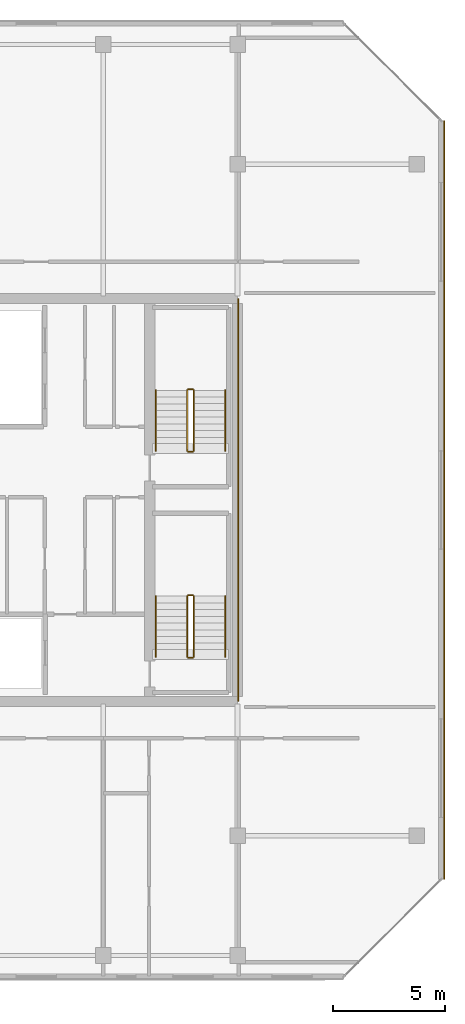
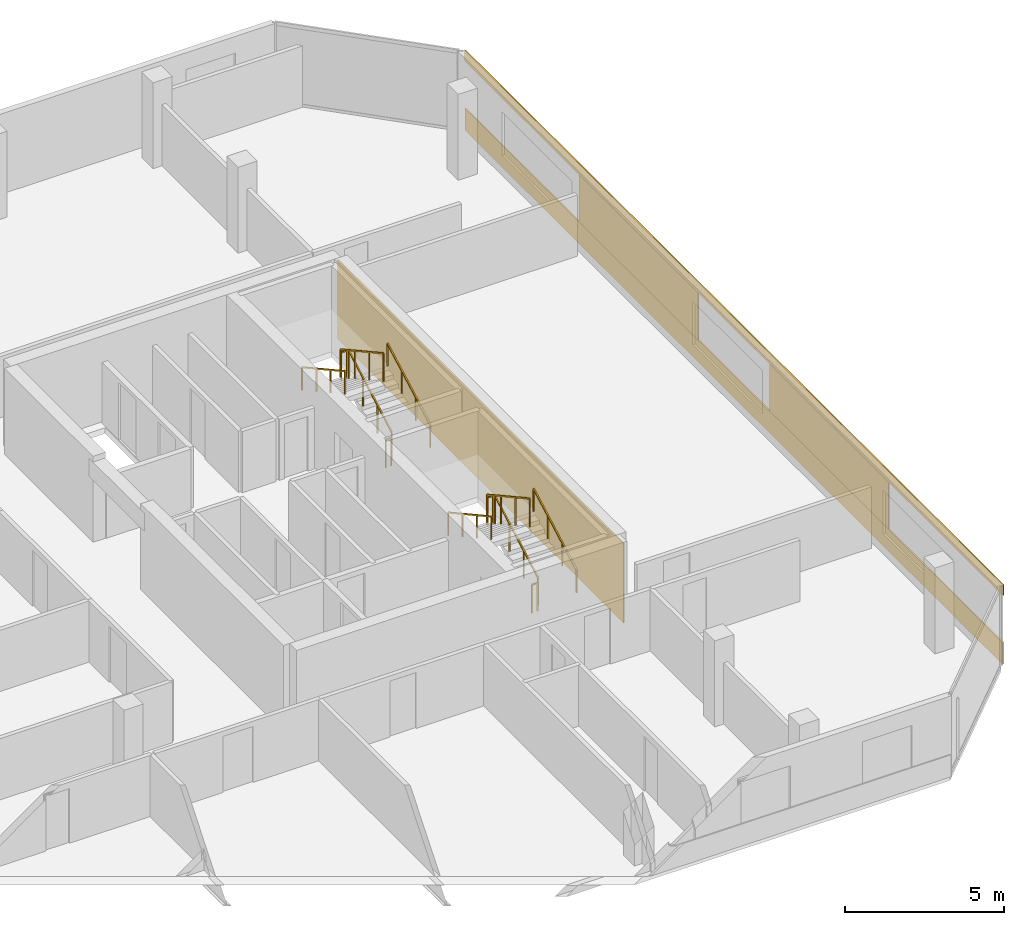
# One storey, part 29 of 29: 12 railings, 5 coverings.
"""IFC4 building model written with IfcOpenShell, lengths in metres."""

from ifc_helpers import new_model, si_unit, direction, frame, origin, origin_2d, place, context, subcontext, project, spatial, rectangle, extrude, material, layer, layer_set, type_object, element, save


model = new_model("IFC4")

# Units and contexts
model_context = context("Model", 3, precision=1e-05, world=origin(), true_north=direction((0.0, 1.0)))
body_context = subcontext(model_context, "Body", "Model", "MODEL_VIEW")
ifc_project = project(units=[si_unit("LENGTHUNIT", "METRE"), si_unit("AREAUNIT", "SQUARE_METRE"), si_unit("VOLUMEUNIT", "CUBIC_METRE"), si_unit("PLANEANGLEUNIT", "RADIAN"), si_unit("MASSUNIT", "GRAM", prefix="KILO")], contexts=[model_context])

# Site, building, storey
site_placement = place(None, origin())
site = spatial("IfcSite", under=ifc_project, at=site_placement, CompositionType="ELEMENT")
building_placement = place(site_placement, origin())
building = spatial("IfcBuilding", under=site, at=building_placement, Name="Tanjung Sevakor Pilgrim Tower", CompositionType="ELEMENT")
storey_placement = place(building_placement, frame((0.0, 0.0, 235.949951171875)))
storey = spatial("IfcBuildingStorey", under=building, at=storey_placement, Name="L66", CompositionType="ELEMENT", Elevation=235.949951171875)

# Coverings
ifc_material_1 = material(Name="Reconstructed Limestone Cladding", Category="masonry")
ifc_layer = layer(ifc_material_1, 0.044921875)
ifc_layer_set = layer_set([ifc_layer], Name="COV-CLAD-LIMESTONE")
covering_type = type_object("IfcCoveringType", Name="COV-CLAD-LIMESTONE", PredefinedType="CLADDING", material=ifc_layer_set)
covering_1_placement = place(storey_placement, frame((99.222412109375, 33.60009765625, 0.009765625), z_axis=(0.0, 0.0, 1.0), x_axis=(0.0, 1.0, 0.0)))
element("IfcCovering", 1, at=covering_1_placement, inside=storey, type_object=covering_type, Name="L66 Warm Limestone Sill Spandrel EW-L66-EAST-3-1", PredefinedType="CLADDING", context=body_context, shape_type="SweptSolid", body=[
    extrude(rectangle(XDim=33.828857421875, YDim=0.044921875, at=origin_2d()), origin(), (0.0, 0.0, 1.0), 0.840087890625),
])
covering_2_placement = place(storey_placement, frame((99.222412109375, 33.60009765625, 2.66015625), z_axis=(0.0, 0.0, 1.0), x_axis=(0.0, 1.0, 0.0)))
element("IfcCovering", 2, at=covering_2_placement, inside=storey, type_object=covering_type, Name="L66 Warm Limestone Cornice Spandrel EW-L66-EAST-3", PredefinedType="CLADDING", context=body_context, shape_type="SweptSolid", body=[
    extrude(rectangle(XDim=33.868896484375, YDim=0.044921875, at=origin_2d()), origin(), (0.0, 0.0, 1.0), 0.409912109375),
])
for number, where, z_axis, x_axis, name in (
    (3, (99.222412109375, 27.60888671875, 0.85009765625), (0.0, 0.0, 1.0), (0.0, 1.0, 0.0), "L66 Warm Limestone Pier Panel EW-L66-EAST-3-1"),
    (4, (99.222412109375, 39.591064453125, 0.85009765625), (0.0, 0.0, 1.0), (0.0, 1.0, 0.0), "L66 Warm Limestone Pier Panel EW-L66-EAST-3-2"),
):
    element("IfcCovering", number, at=place(storey_placement, frame(where, z_axis=z_axis, x_axis=x_axis)), inside=storey, type_object=covering_type, Name=name, PredefinedType="CLADDING", context=body_context, shape_type="SweptSolid", body=[
        extrude(rectangle(XDim=7.482177734375, YDim=0.044921875, at=origin_2d()), origin(), (0.0, 0.0, 1.0), 1.81005859375),
    ])
covering_3_placement = place(storey_placement, frame((90.0224609375, 33.60009765625, 0.02001953125), z_axis=(0.0, 0.0, 1.0), x_axis=(1.0, 0.0, 0.0)))
element("IfcCovering", 5, at=covering_3_placement, inside=storey, type_object=covering_type, Name="L66 Expressed Core Warm Limestone Cladding E", PredefinedType="CLADDING", context=body_context, shape_type="SweptSolid", body=[
    extrude(rectangle(XDim=0.044921875, YDim=18.0, at=origin_2d()), origin(), (0.0, 0.0, 1.0), 3.0400390625),
])

# Railings
ifc_material_2 = material(Name="Steel S355J2", Category="steel")
railing_type_1 = type_object("IfcRailingType", Name="RL-STAIR-GUARD", PredefinedType="GUARDRAIL", material=ifc_material_2)
railing_1_placement = place(storey_placement, frame((88.050048828125, 26.60009765625, 0.1650390625)))
element("IfcRailing", 6, at=railing_1_placement, inside=storey, type_object=railing_type_1, Name="L66 TS-E1 stair guard 1", PredefinedType="GUARDRAIL", context=body_context, shape_type="SweptSolid", body=[
    extrude(rectangle(XDim=0.0479, YDim=0.0479), frame((0.0, 0.0, 1.076171875), z_axis=(0.0, 0.876197507361, 0.481952205197), x_axis=(-1.0, 0.0, 0.0)), (0.0, 0.0, 1.0), 3.08154296875),
    extrude(rectangle(XDim=0.042, YDim=0.042), origin(), (0.0, 0.0, 1.0), 1.052001953125),
    extrude(rectangle(XDim=0.042, YDim=0.042), frame((0.0, 0.89990234375, 0.4951171875)), (0.0, 0.0, 1.0), 1.052001953125),
    extrude(rectangle(XDim=0.042, YDim=0.042), frame((0.0, 1.800048828125, 0.989990234375)), (0.0, 0.0, 1.0), 1.052001953125),
    extrude(rectangle(XDim=0.042, YDim=0.042), frame((0.0, 2.699951171875, 1.485107421875)), (0.0, 0.0, 1.0), 1.052001953125),
])
railing_2_placement = place(storey_placement, frame((88.0, 29.35009765625, 1.650146484375)))
element("IfcRailing", 7, at=railing_2_placement, inside=storey, type_object=railing_type_1, Name="L66 TS-E1 stair guard 2", PredefinedType="GUARDRAIL", context=body_context, shape_type="SweptSolid", body=[
    extrude(rectangle(XDim=0.0479, YDim=0.0479), frame((0.0, 0.0, 1.076171875), z_axis=(-1.0, 0.0, 0.0), x_axis=(0.0, -1.0, 0.0)), (0.0, 0.0, 1.0), 0.199951171875),
    extrude(rectangle(XDim=0.042, YDim=0.042), origin(), (0.0, 0.0, 1.0), 1.052001953125),
    extrude(rectangle(XDim=0.042, YDim=0.042), frame((-0.199951171875, 0.0, 0.0)), (0.0, 0.0, 1.0), 1.052001953125),
])
railing_3_placement = place(storey_placement, frame((87.75, 29.300048828125, 1.81494140625)))
element("IfcRailing", 8, at=railing_3_placement, inside=storey, type_object=railing_type_1, Name="L66 TS-E1 stair guard 3", PredefinedType="GUARDRAIL", context=body_context, shape_type="SweptSolid", body=[
    extrude(rectangle(XDim=0.0479, YDim=0.0479), frame((0.0, 0.0, 1.076171875), z_axis=(0.0, -0.876197507361, 0.481952205197), x_axis=(1.0, 0.0, 0.0)), (0.0, 0.0, 1.0), 3.08154296875),
    extrude(rectangle(XDim=0.042, YDim=0.042), origin(), (0.0, 0.0, 1.0), 1.052001953125),
    extrude(rectangle(XDim=0.042, YDim=0.042), frame((0.0, -0.89990234375, 0.4951171875)), (0.0, 0.0, 1.0), 1.052001953125),
    extrude(rectangle(XDim=0.042, YDim=0.042), frame((0.0, -1.800048828125, 0.989990234375)), (0.0, 0.0, 1.0), 1.052001953125),
    extrude(rectangle(XDim=0.042, YDim=0.042), frame((0.0, -2.699951171875, 1.485107421875)), (0.0, 0.0, 1.0), 1.052001953125),
])
railing_4_placement = place(storey_placement, frame((88.0, 26.550048828125, 0.0)))
element("IfcRailing", 9, at=railing_4_placement, inside=storey, type_object=railing_type_1, Name="L66 TS-E1 stair guard 4", PredefinedType="GUARDRAIL", context=body_context, shape_type="SweptSolid", body=[
    extrude(rectangle(XDim=0.0479, YDim=0.0479), frame((0.0, 0.0, 1.076171875), z_axis=(-1.0, 0.0, 0.0), x_axis=(0.0, -1.0, 0.0)), (0.0, 0.0, 1.0), 0.199951171875),
    extrude(rectangle(XDim=0.042, YDim=0.042), origin(), (0.0, 0.0, 1.0), 1.052001953125),
    extrude(rectangle(XDim=0.042, YDim=0.042), frame((-0.199951171875, 0.0, 0.0)), (0.0, 0.0, 1.0), 1.052001953125),
])
railing_5_placement = place(storey_placement, frame((88.050048828125, 35.800048828125, 0.1650390625)))
element("IfcRailing", 10, at=railing_5_placement, inside=storey, type_object=railing_type_1, Name="L66 TS-E2 stair guard 1", PredefinedType="GUARDRAIL", context=body_context, shape_type="SweptSolid", body=[
    extrude(rectangle(XDim=0.0479, YDim=0.0479), frame((0.0, 0.0, 1.076171875), z_axis=(0.0, 0.876197507361, 0.481952205197), x_axis=(-1.0, 0.0, 0.0)), (0.0, 0.0, 1.0), 3.08154296875),
    extrude(rectangle(XDim=0.042, YDim=0.042), origin(), (0.0, 0.0, 1.0), 1.052001953125),
    extrude(rectangle(XDim=0.042, YDim=0.042), frame((0.0, 0.89990234375, 0.4951171875)), (0.0, 0.0, 1.0), 1.052001953125),
    extrude(rectangle(XDim=0.042, YDim=0.042), frame((0.0, 1.800048828125, 0.989990234375)), (0.0, 0.0, 1.0), 1.052001953125),
    extrude(rectangle(XDim=0.042, YDim=0.042), frame((0.0, 2.699951171875, 1.485107421875)), (0.0, 0.0, 1.0), 1.052001953125),
])
railing_6_placement = place(storey_placement, frame((88.0, 38.550048828125, 1.650146484375)))
element("IfcRailing", 11, at=railing_6_placement, inside=storey, type_object=railing_type_1, Name="L66 TS-E2 stair guard 2", PredefinedType="GUARDRAIL", context=body_context, shape_type="SweptSolid", body=[
    extrude(rectangle(XDim=0.0479, YDim=0.0479), frame((0.0, 0.0, 1.076171875), z_axis=(-1.0, 0.0, 0.0), x_axis=(0.0, -1.0, 0.0)), (0.0, 0.0, 1.0), 0.199951171875),
    extrude(rectangle(XDim=0.042, YDim=0.042), origin(), (0.0, 0.0, 1.0), 1.052001953125),
    extrude(rectangle(XDim=0.042, YDim=0.042), frame((-0.199951171875, 0.0, 0.0)), (0.0, 0.0, 1.0), 1.052001953125),
])
railing_7_placement = place(storey_placement, frame((87.75, 38.5, 1.81494140625)))
element("IfcRailing", 12, at=railing_7_placement, inside=storey, type_object=railing_type_1, Name="L66 TS-E2 stair guard 3", PredefinedType="GUARDRAIL", context=body_context, shape_type="SweptSolid", body=[
    extrude(rectangle(XDim=0.0479, YDim=0.0479), frame((0.0, 0.0, 1.076171875), z_axis=(0.0, -0.876197507361, 0.481952205197), x_axis=(1.0, 0.0, 0.0)), (0.0, 0.0, 1.0), 3.08154296875),
    extrude(rectangle(XDim=0.042, YDim=0.042), origin(), (0.0, 0.0, 1.0), 1.052001953125),
    extrude(rectangle(XDim=0.042, YDim=0.042), frame((0.0, -0.89990234375, 0.4951171875)), (0.0, 0.0, 1.0), 1.052001953125),
    extrude(rectangle(XDim=0.042, YDim=0.042), frame((0.0, -1.800048828125, 0.989990234375)), (0.0, 0.0, 1.0), 1.052001953125),
    extrude(rectangle(XDim=0.042, YDim=0.042), frame((0.0, -2.699951171875, 1.485107421875)), (0.0, 0.0, 1.0), 1.052001953125),
])
railing_8_placement = place(storey_placement, frame((88.0, 35.75, 0.0)))
element("IfcRailing", 13, at=railing_8_placement, inside=storey, type_object=railing_type_1, Name="L66 TS-E2 stair guard 4", PredefinedType="GUARDRAIL", context=body_context, shape_type="SweptSolid", body=[
    extrude(rectangle(XDim=0.0479, YDim=0.0479), frame((0.0, 0.0, 1.076171875), z_axis=(-1.0, 0.0, 0.0), x_axis=(0.0, -1.0, 0.0)), (0.0, 0.0, 1.0), 0.199951171875),
    extrude(rectangle(XDim=0.042, YDim=0.042), origin(), (0.0, 0.0, 1.0), 1.052001953125),
    extrude(rectangle(XDim=0.042, YDim=0.042), frame((-0.199951171875, 0.0, 0.0)), (0.0, 0.0, 1.0), 1.052001953125),
])
ifc_material_3 = material(Name="Steel S355J2", Category="steel")
railing_type_2 = type_object("IfcRailingType", Name="RL-STAIR-HAND", PredefinedType="HANDRAIL", material=ifc_material_3)
railing_9_placement = place(storey_placement, frame((89.449951171875, 26.60009765625, 0.1650390625)))
element("IfcRailing", 14, at=railing_9_placement, inside=storey, type_object=railing_type_2, Name="L66 TS-E1 stair handrail 1", PredefinedType="HANDRAIL", context=body_context, shape_type="SweptSolid", body=[
    extrude(rectangle(XDim=0.0479, YDim=0.0479), frame((0.0, 0.0, 0.8759765625), z_axis=(0.0, 0.876197507361, 0.481952205197), x_axis=(-1.0, 0.0, 0.0)), (0.0, 0.0, 1.0), 3.08154296875),
    extrude(rectangle(XDim=0.042, YDim=0.042), origin(), (0.0, 0.0, 1.0), 0.851806640625),
    extrude(rectangle(XDim=0.042, YDim=0.042), frame((0.0, 0.89990234375, 0.4951171875)), (0.0, 0.0, 1.0), 0.851806640625),
    extrude(rectangle(XDim=0.042, YDim=0.042), frame((0.0, 1.800048828125, 0.989990234375)), (0.0, 0.0, 1.0), 0.851806640625),
    extrude(rectangle(XDim=0.042, YDim=0.042), frame((0.0, 2.699951171875, 1.485107421875)), (0.0, 0.0, 1.0), 0.851806640625),
])
railing_10_placement = place(storey_placement, frame((86.35009765625, 29.300048828125, 1.81494140625)))
element("IfcRailing", 15, at=railing_10_placement, inside=storey, type_object=railing_type_2, Name="L66 TS-E1 stair handrail 2", PredefinedType="HANDRAIL", context=body_context, shape_type="SweptSolid", body=[
    extrude(rectangle(XDim=0.0479, YDim=0.0479), frame((0.0, 0.0, 0.8759765625), z_axis=(0.0, -0.876197507361, 0.481952205197), x_axis=(1.0, 0.0, 0.0)), (0.0, 0.0, 1.0), 3.08154296875),
    extrude(rectangle(XDim=0.042, YDim=0.042), origin(), (0.0, 0.0, 1.0), 0.851806640625),
    extrude(rectangle(XDim=0.042, YDim=0.042), frame((0.0, -0.89990234375, 0.4951171875)), (0.0, 0.0, 1.0), 0.851806640625),
    extrude(rectangle(XDim=0.042, YDim=0.042), frame((0.0, -1.800048828125, 0.989990234375)), (0.0, 0.0, 1.0), 0.851806640625),
    extrude(rectangle(XDim=0.042, YDim=0.042), frame((0.0, -2.699951171875, 1.485107421875)), (0.0, 0.0, 1.0), 0.851806640625),
])
railing_11_placement = place(storey_placement, frame((89.449951171875, 35.800048828125, 0.1650390625)))
element("IfcRailing", 16, at=railing_11_placement, inside=storey, type_object=railing_type_2, Name="L66 TS-E2 stair handrail 1", PredefinedType="HANDRAIL", context=body_context, shape_type="SweptSolid", body=[
    extrude(rectangle(XDim=0.0479, YDim=0.0479), frame((0.0, 0.0, 0.8759765625), z_axis=(0.0, 0.876197507361, 0.481952205197), x_axis=(-1.0, 0.0, 0.0)), (0.0, 0.0, 1.0), 3.08154296875),
    extrude(rectangle(XDim=0.042, YDim=0.042), origin(), (0.0, 0.0, 1.0), 0.851806640625),
    extrude(rectangle(XDim=0.042, YDim=0.042), frame((0.0, 0.89990234375, 0.4951171875)), (0.0, 0.0, 1.0), 0.851806640625),
    extrude(rectangle(XDim=0.042, YDim=0.042), frame((0.0, 1.800048828125, 0.989990234375)), (0.0, 0.0, 1.0), 0.851806640625),
    extrude(rectangle(XDim=0.042, YDim=0.042), frame((0.0, 2.699951171875, 1.485107421875)), (0.0, 0.0, 1.0), 0.851806640625),
])
railing_12_placement = place(storey_placement, frame((86.35009765625, 38.5, 1.81494140625)))
element("IfcRailing", 17, at=railing_12_placement, inside=storey, type_object=railing_type_2, Name="L66 TS-E2 stair handrail 2", PredefinedType="HANDRAIL", context=body_context, shape_type="SweptSolid", body=[
    extrude(rectangle(XDim=0.0479, YDim=0.0479), frame((0.0, 0.0, 0.8759765625), z_axis=(0.0, -0.876197507361, 0.481952205197), x_axis=(1.0, 0.0, 0.0)), (0.0, 0.0, 1.0), 3.08154296875),
    extrude(rectangle(XDim=0.042, YDim=0.042), origin(), (0.0, 0.0, 1.0), 0.851806640625),
    extrude(rectangle(XDim=0.042, YDim=0.042), frame((0.0, -0.89990234375, 0.4951171875)), (0.0, 0.0, 1.0), 0.851806640625),
    extrude(rectangle(XDim=0.042, YDim=0.042), frame((0.0, -1.800048828125, 0.989990234375)), (0.0, 0.0, 1.0), 0.851806640625),
    extrude(rectangle(XDim=0.042, YDim=0.042), frame((0.0, -2.699951171875, 1.485107421875)), (0.0, 0.0, 1.0), 0.851806640625),
])

save(model, "model.ifc")
